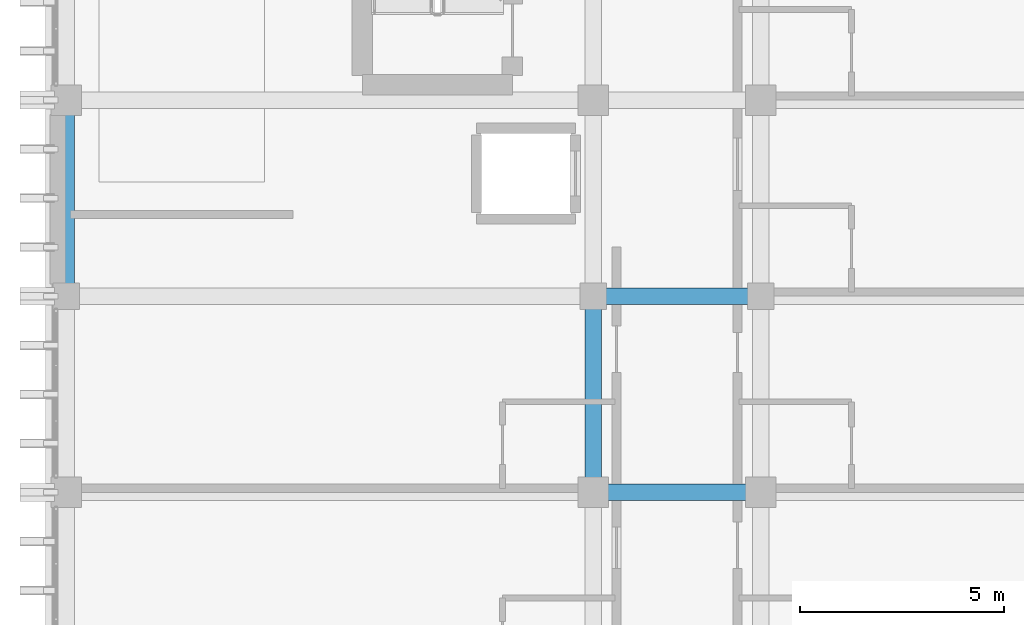
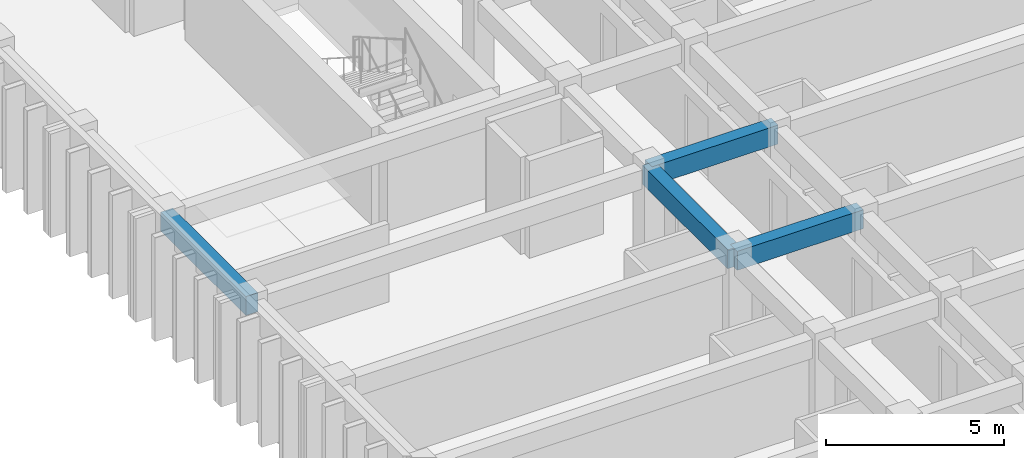
# One storey, part 19 of 64: 4 beams.
"""IFC4 building model written with IfcOpenShell, lengths in metres."""

from ifc_helpers import new_model, si_unit, direction, frame, origin, origin_2d, place, context, subcontext, project, spatial, rectangle, extrude, material, material_profile, profile_set, type_object, element, save


model = new_model("IFC4")

# Units and contexts
model_context = context("Model", 3, precision=1e-05, world=origin(), true_north=direction((0.0, 1.0)))
body_context = subcontext(model_context, "Body", "Model", "MODEL_VIEW")
ifc_project = project(units=[si_unit("LENGTHUNIT", "METRE"), si_unit("AREAUNIT", "SQUARE_METRE"), si_unit("VOLUMEUNIT", "CUBIC_METRE"), si_unit("PLANEANGLEUNIT", "RADIAN"), si_unit("MASSUNIT", "GRAM", prefix="KILO")], contexts=[model_context])

# Site, building, storey
site_placement = place(None, origin())
site = spatial("IfcSite", under=ifc_project, at=site_placement, CompositionType="ELEMENT")
building_placement = place(site_placement, origin())
building = spatial("IfcBuilding", under=site, at=building_placement, Name="Nakhvara Creek Congress Hotel", CompositionType="ELEMENT")
storey_placement = place(building_placement, frame((0.0, 0.0, 28.199951171875)))
storey = spatial("IfcBuildingStorey", under=building, at=storey_placement, Name="L06", CompositionType="ELEMENT", Elevation=28.199951171875)

# Beams
ifc_material = material(Name="Concrete C40/50", Category="concrete")
ifc_material_profile = material_profile(ifc_material, rectangle(XDim=0.39990234375, YDim=0.64990234375, at=origin_2d()), Name="RC-BM 400x650", Category="LoadBearing")
ifc_profile_set = profile_set([ifc_material_profile], Name="Concrete C40/50")
beam_type = type_object("IfcBeamType", Name="BM-RC-400X650", PredefinedType="BEAM", material=ifc_profile_set)
beam_1_placement = place(storey_placement, frame((149.449951171875, 72.0, 3.01513671875), z_axis=(0.0, 1.0, 0.0), x_axis=(-1.0, 0.0, 0.0)))
element("IfcBeam", 1, at=beam_1_placement, inside=storey, type_object=beam_type, Name="Beam B06-L06-2205", PredefinedType="BEAM", context=body_context, shape_type="SweptSolid", body=[
    extrude(rectangle(XDim=0.39990234375, YDim=0.64990234375, at=origin_2d()), origin(), (0.0, 0.0, 1.0), 4.800048828125),
])
beam_2_placement = place(storey_placement, frame((162.35009765625, 67.199951171875, 3.01513671875), z_axis=(1.0, 0.0, 0.0), x_axis=(0.0, 1.0, 0.0)))
element("IfcBeam", 2, at=beam_2_placement, inside=storey, type_object=beam_type, Name="Beam B06-L06-2227", PredefinedType="BEAM", context=body_context, shape_type="SweptSolid", body=[
    extrude(rectangle(XDim=0.39990234375, YDim=0.64990234375, at=origin_2d()), origin(), (0.0, 0.0, 1.0), 4.099853515625),
])
beam_3_placement = place(storey_placement, frame((162.35009765625, 67.199951171875, 3.01513671875), z_axis=(0.0, 1.0, 0.0), x_axis=(-1.0, 0.0, 0.0)))
element("IfcBeam", 3, at=beam_3_placement, inside=storey, type_object=beam_type, Name="Beam B06-L06-2229", PredefinedType="BEAM", context=body_context, shape_type="SweptSolid", body=[
    extrude(rectangle(XDim=0.39990234375, YDim=0.64990234375, at=origin_2d()), origin(), (0.0, 0.0, 1.0), 4.800048828125),
])
beam_4_placement = place(storey_placement, frame((162.35009765625, 72.0, 3.01513671875), z_axis=(1.0, 0.0, 0.0), x_axis=(0.0, 1.0, 0.0)))
element("IfcBeam", 4, at=beam_4_placement, inside=storey, type_object=beam_type, Name="Beam B06-L06-2303", PredefinedType="BEAM", context=body_context, shape_type="SweptSolid", body=[
    extrude(rectangle(XDim=0.39990234375, YDim=0.64990234375, at=origin_2d()), origin(), (0.0, 0.0, 1.0), 4.099853515625),
])

save(model, "model.ifc")
